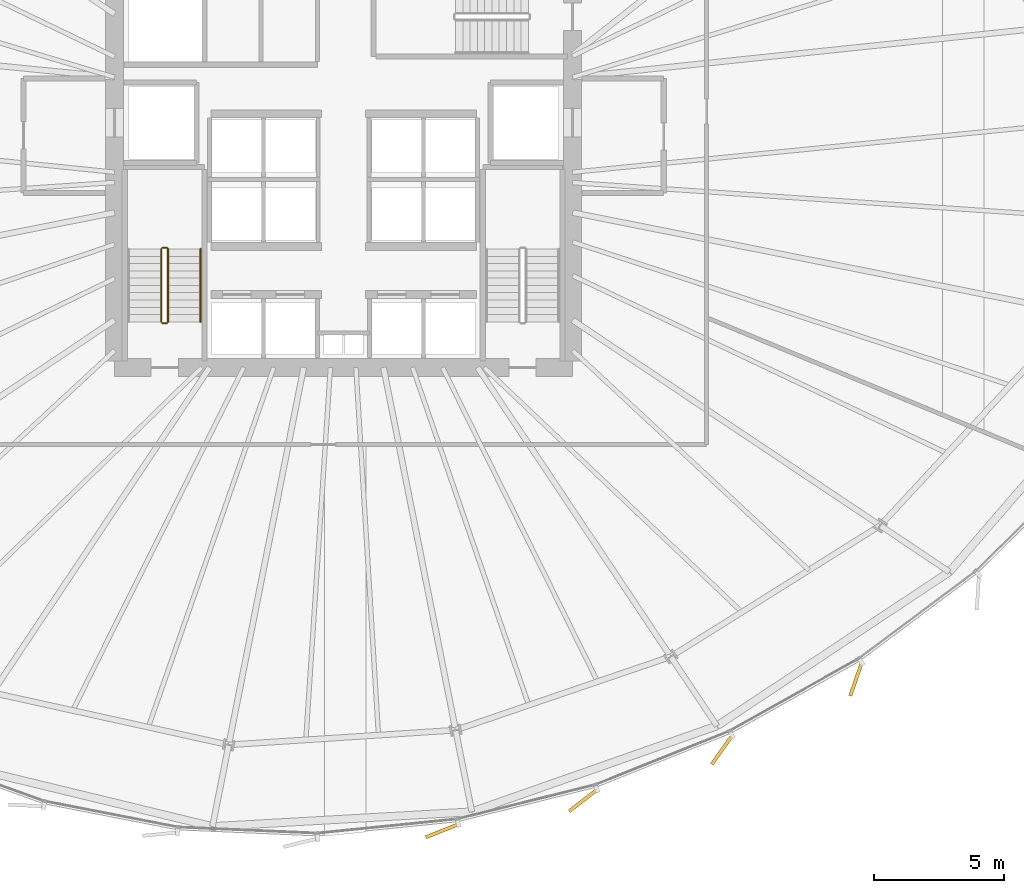
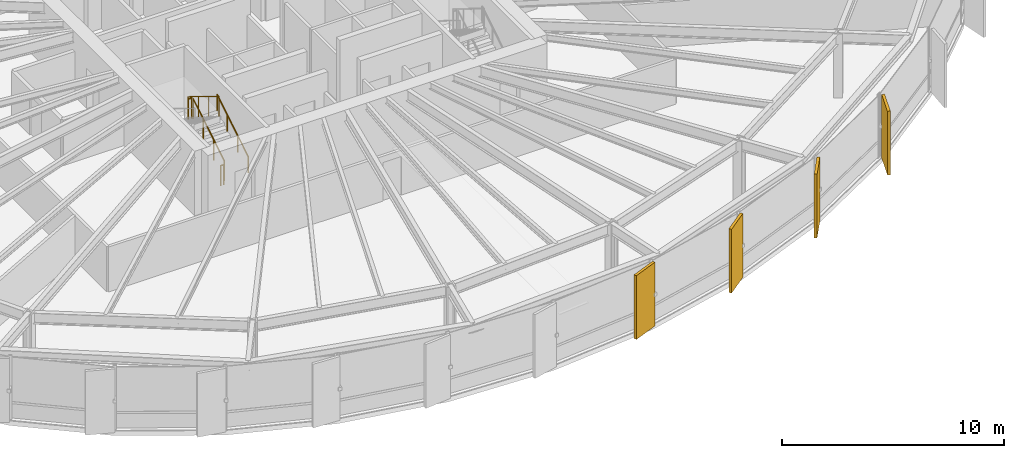
# One storey, part 33 of 35: 5 railings, 4 coverings.
"""IFC4 building model written with IfcOpenShell, lengths in metres."""

from ifc_helpers import new_model, si_unit, direction, frame, origin, origin_2d, place, context, subcontext, project, spatial, rectangle, circle, extrude, source, transform, mapped, material, layer, layer_set, type_object, element, save


model = new_model("IFC4")

# Units and contexts
model_context = context("Model", 3, precision=1e-05, world=origin(), true_north=direction((0.0, 1.0)))
body_context = subcontext(model_context, "Body", "Model", "MODEL_VIEW")
ifc_project = project(units=[si_unit("LENGTHUNIT", "METRE"), si_unit("AREAUNIT", "SQUARE_METRE"), si_unit("VOLUMEUNIT", "CUBIC_METRE"), si_unit("PLANEANGLEUNIT", "RADIAN"), si_unit("MASSUNIT", "GRAM", prefix="KILO"), si_unit("THERMODYNAMICTEMPERATUREUNIT", "KELVIN")], contexts=[model_context])

# Site, building, storey
site_placement = place(None, origin())
site = spatial("IfcSite", under=ifc_project, at=site_placement, CompositionType="ELEMENT")
building_placement = place(site_placement, origin())
building = spatial("IfcBuilding", under=site, at=building_placement, Name="Kethvar Cultural Tower", CompositionType="ELEMENT")
storey_placement = place(building_placement, frame((0.0, 0.0, 71.39990234375)))
storey = spatial("IfcBuildingStorey", under=building, at=storey_placement, Name="L17", CompositionType="ELEMENT", Elevation=71.39990234375)

# Railings
ifc_material_1 = material(Name="Steel S355J2", Category="steel")
railing_type_1 = type_object("IfcRailingType", Name="RL-STAIR-GUARD", PredefinedType="BALUSTRADE", material=ifc_material_1)
railing_1_placement = place(storey_placement, frame((40.050048828125, 21.85009765625, 0.1728515625)))
element("IfcRailing", 1, at=railing_1_placement, inside=storey, type_object=railing_type_1, Name="L17 ST-01 stair guard 1", PredefinedType="BALUSTRADE", context=body_context, shape_type="SweptSolid", body=[
    extrude(circle(Radius=0.02392578125, at=origin_2d()), frame((0.0, 0.0, 1.09619140625), z_axis=(0.0, 0.851069175582, 0.525053576669), x_axis=(-1.0, 0.0, 0.0)), (0.0, 0.0, 1.0), 3.289794921875),
    extrude(circle(Radius=0.02099609375, at=origin_2d()), origin(), (0.0, 0.0, 1.0), 1.072021484375),
    extrude(circle(Radius=0.02099609375, at=origin_2d()), frame((0.0, 0.933349609375, 0.57568359375)), (0.0, 0.0, 1.0), 1.072021484375),
    extrude(circle(Radius=0.02099609375, at=origin_2d()), frame((0.0, 1.866455078125, 1.151611328125)), (0.0, 0.0, 1.0), 1.072021484375),
    extrude(circle(Radius=0.02099609375, at=origin_2d()), frame((0.0, 2.7998046875, 1.727294921875)), (0.0, 0.0, 1.0), 1.072021484375),
])
railing_2_placement = place(storey_placement, frame((40.0, 24.699951171875, 1.900146484375)))
element("IfcRailing", 2, at=railing_2_placement, inside=storey, type_object=railing_type_1, Name="L17 ST-01 stair guard 2", PredefinedType="BALUSTRADE", context=body_context, shape_type="SweptSolid", body=[
    extrude(circle(Radius=0.02392578125, at=origin_2d()), frame((0.0, 0.0, 1.09619140625), z_axis=(-1.0, 0.0, 0.0), x_axis=(0.0, -1.0, 0.0)), (0.0, 0.0, 1.0), 0.159912109375),
    extrude(circle(Radius=0.02099609375, at=origin_2d()), origin(), (0.0, 0.0, 1.0), 1.072021484375),
    extrude(circle(Radius=0.02099609375, at=origin_2d()), frame((-0.159912109375, 0.0, 0.0)), (0.0, 0.0, 1.0), 1.072021484375),
])
railing_3_placement = place(storey_placement, frame((39.7900390625, 24.64990234375, 2.07275390625)))
element("IfcRailing", 3, at=railing_3_placement, inside=storey, type_object=railing_type_1, Name="L17 ST-01 stair guard 3", PredefinedType="BALUSTRADE", context=body_context, shape_type="SweptSolid", body=[
    extrude(circle(Radius=0.02392578125, at=origin_2d()), frame((0.0, 0.0, 1.09619140625), z_axis=(0.0, -0.851069175582, 0.525053576669), x_axis=(1.0, 0.0, 0.0)), (0.0, 0.0, 1.0), 3.289794921875),
    extrude(circle(Radius=0.02099609375, at=origin_2d()), origin(), (0.0, 0.0, 1.0), 1.072021484375),
    extrude(circle(Radius=0.02099609375, at=origin_2d()), frame((0.0, -0.933349609375, 0.57568359375)), (0.0, 0.0, 1.0), 1.072021484375),
    extrude(circle(Radius=0.02099609375, at=origin_2d()), frame((0.0, -1.866455078125, 1.151611328125)), (0.0, 0.0, 1.0), 1.072021484375),
    extrude(circle(Radius=0.02099609375, at=origin_2d()), frame((0.0, -2.7998046875, 1.727294921875)), (0.0, 0.0, 1.0), 1.072021484375),
])
railing_4_placement = place(storey_placement, frame((40.0, 21.800048828125, 0.0)))
element("IfcRailing", 4, at=railing_4_placement, inside=storey, type_object=railing_type_1, Name="L17 ST-01 stair guard 4", PredefinedType="BALUSTRADE", context=body_context, shape_type="SweptSolid", body=[
    extrude(circle(Radius=0.02392578125, at=origin_2d()), frame((0.0, 0.0, 1.09619140625), z_axis=(-1.0, 0.0, 0.0), x_axis=(0.0, -1.0, 0.0)), (0.0, 0.0, 1.0), 0.159912109375),
    extrude(circle(Radius=0.02099609375, at=origin_2d()), origin(), (0.0, 0.0, 1.0), 1.072021484375),
    extrude(circle(Radius=0.02099609375, at=origin_2d()), frame((-0.159912109375, 0.0, 0.0)), (0.0, 0.0, 1.0), 1.072021484375),
])
railing_type_2 = type_object("IfcRailingType", Name="RL-STAIR-HANDRAIL", PredefinedType="HANDRAIL", material=ifc_material_1)
railing_5_placement = place(storey_placement, frame((41.300048828125, 21.85009765625, 0.1728515625)))
element("IfcRailing", 5, at=railing_5_placement, inside=storey, type_object=railing_type_2, Name="L17 ST-01 stair handrail 1", PredefinedType="HANDRAIL", context=body_context, shape_type="SweptSolid", body=[
    extrude(circle(Radius=0.02392578125, at=origin_2d()), frame((0.0, 0.0, 0.8759765625), z_axis=(0.0, 0.851069175582, 0.525053576669), x_axis=(-1.0, 0.0, 0.0)), (0.0, 0.0, 1.0), 3.289794921875),
    extrude(circle(Radius=0.02099609375, at=origin_2d()), origin(), (0.0, 0.0, 1.0), 0.851806640625),
    extrude(circle(Radius=0.02099609375, at=origin_2d()), frame((0.0, 0.933349609375, 0.57568359375)), (0.0, 0.0, 1.0), 0.851806640625),
    extrude(circle(Radius=0.02099609375, at=origin_2d()), frame((0.0, 1.866455078125, 1.151611328125)), (0.0, 0.0, 1.0), 0.851806640625),
    extrude(circle(Radius=0.02099609375, at=origin_2d()), frame((0.0, 2.7998046875, 1.727294921875)), (0.0, 0.0, 1.0), 0.851806640625),
])

# Coverings
ifc_material_2 = material(Name="Extruded Architectural Terracotta", Category="masonry")
ifc_layer = layer(ifc_material_2, 0.135009765625, Name="Extruded Architectural Terracotta", Category="masonry")
ifc_layer_set = layer_set([ifc_layer], Name="Extruded Architectural Terracotta (135 mm)")
covering_type = type_object("IfcCoveringType", Name="Terracotta Facade Fin FIN-01", PredefinedType="CLADDING", material=ifc_layer_set)
shared_shape = source(origin(), body_context, "Body", "SweptSolid", [
    extrude(rectangle(XDim=1.35009765625, YDim=0.135009765625, at=origin_2d()), origin(), (0.0, 0.0, 1.0), 3.5),
])
for number, where, z_axis, x_axis, name in (
    (6, (50.586669921875, 2.296875, 0.02001953125), (0.0, 0.0, 1.0), (-0.927379871015, -0.374121069757, 0.0), "L17 Vertical Terracotta Fin 5.4"),
    (7, (56.003173828125, 3.460205078125, 0.02001953125), (0.0, 0.0, 1.0), (-0.789833986695, -0.613320693815, 0.0), "L17 Vertical Terracotta Fin 5.5"),
    (8, (61.3388671875, 5.403076171875, 0.02001953125), (0.0, 0.0, 1.0), (-0.578711964667, -0.815532011604, 0.0), "L17 Vertical Terracotta Fin 5.6"),
    (9, (66.490478515625, 8.119140625, 0.02001953125), (0.0, 0.0, 1.0), (-0.326063182175, -0.94534797891, 0.0), "L17 Vertical Terracotta Fin 6.1"),
):
    element("IfcCovering", number, at=place(storey_placement, frame(where, z_axis=z_axis, x_axis=x_axis)), inside=storey, type_object=covering_type, Name=name, PredefinedType="CLADDING", context=body_context, shape_type="MappedRepresentation", body=[
        mapped(shared_shape, transform((0.0, 0.0, 0.0), scale=1.0)),
    ])

save(model, "model.ifc")
